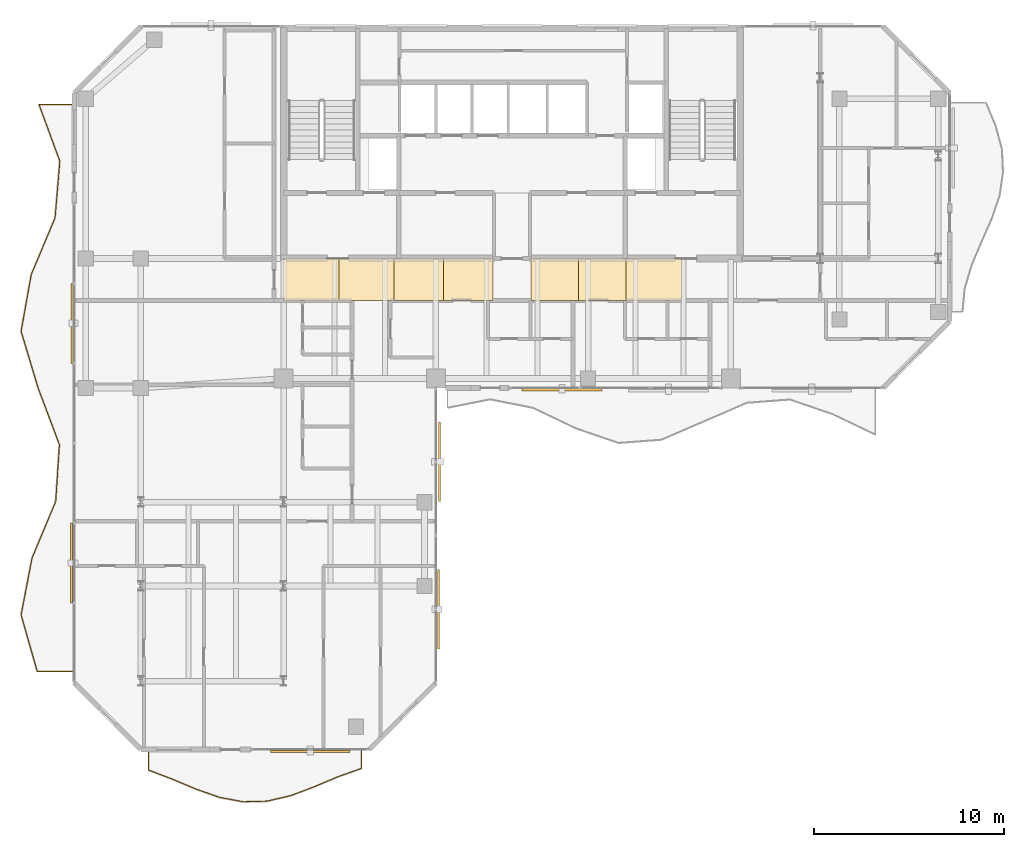
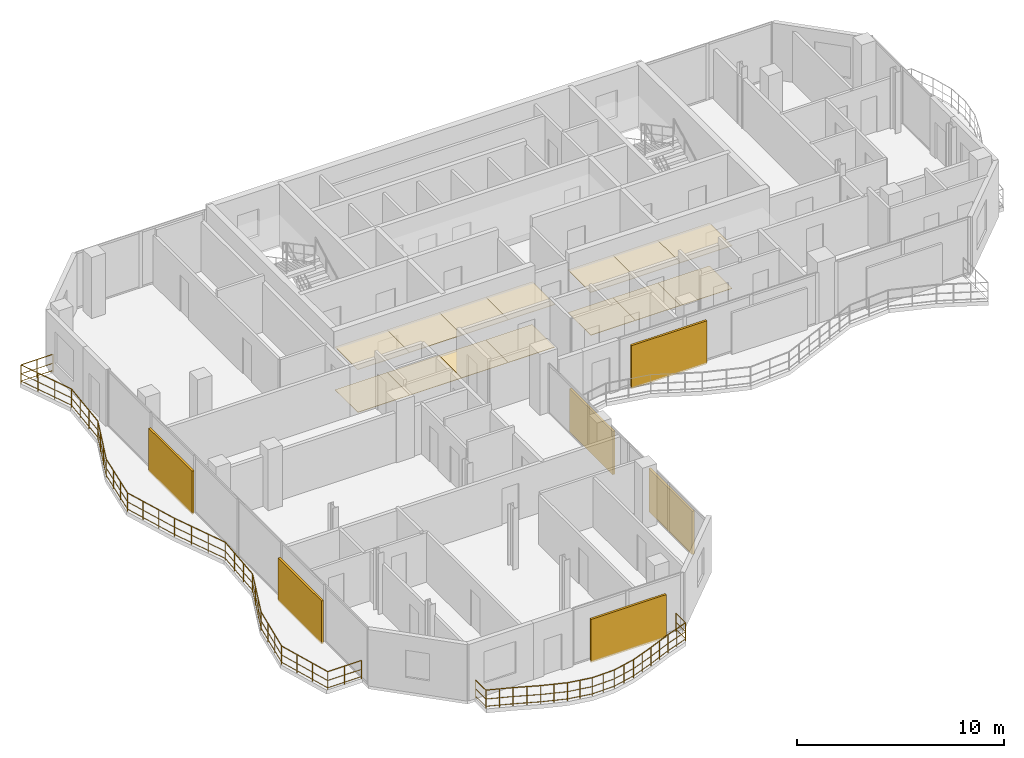
# One storey, part 21 of 23: 14 coverings, 6 shading devices, 2 railings.
"""IFC4 building model written with IfcOpenShell, lengths in metres."""

from ifc_helpers import new_model, si_unit, direction, frame, origin, origin_2d, place, context, subcontext, project, spatial, polyline, rectangle, circle, outline, extrude, material, layer, layer_set, type_object, element, save


model = new_model("IFC4")

# Units and contexts
model_context = context("Model", 3, precision=1e-05, world=origin(), true_north=direction((0.0, 1.0)))
body_context = subcontext(model_context, "Body", "Model", "MODEL_VIEW")
ifc_project = project(units=[si_unit("LENGTHUNIT", "METRE"), si_unit("AREAUNIT", "SQUARE_METRE"), si_unit("VOLUMEUNIT", "CUBIC_METRE"), si_unit("PLANEANGLEUNIT", "RADIAN"), si_unit("MASSUNIT", "GRAM", prefix="KILO")], contexts=[model_context])

# Site, building, storey
site_placement = place(None, origin())
site = spatial("IfcSite", under=ifc_project, at=site_placement, CompositionType="ELEMENT")
building_placement = place(site_placement, origin())
building = spatial("IfcBuilding", under=site, at=building_placement, Name="Catumbela Crestline Tower", CompositionType="ELEMENT")
storey_placement = place(building_placement, frame((0.0, 0.0, 175.8)))
storey = spatial("IfcBuildingStorey", under=building, at=storey_placement, Name="L45", CompositionType="ELEMENT", Elevation=175.8)

# Coverings
ifc_material_1 = material(Name="Mineral-fibre acoustic ceiling")
ifc_layer_1 = layer(ifc_material_1, 0.03, Name="Mineral-fibre acoustic ceiling")
ifc_layer_set_1 = layer_set([ifc_layer_1], Name="Mineral-fibre acoustic ceiling")
covering_type_1 = type_object("IfcCoveringType", Name="CC-AC", PredefinedType="CEILING", material=ifc_layer_set_1)
covering_1_placement = place(storey_placement, frame((0.0, 0.0, 2.52)))
element("IfcCovering", 1, at=covering_1_placement, inside=storey, type_object=covering_type_1, Name="L45 Corridor Acoustic Ceiling Bay 1", PredefinedType="CEILING", context=body_context, shape_type="SweptSolid", body=[
    extrude(outline(polyline([(16.0, 28.6), (18.9, 28.6), (18.9, 30.8), (16.0, 30.8), (16.0, 28.6)])), origin(), (0.0, 0.0, 1.0), 0.03),
])
covering_2_placement = place(storey_placement, frame((0.0, 0.0, 2.52)))
element("IfcCovering", 2, at=covering_2_placement, inside=storey, type_object=covering_type_1, Name="L45 Corridor Acoustic Ceiling Bay 2", PredefinedType="CEILING", context=body_context, shape_type="SweptSolid", body=[
    extrude(outline(polyline([(18.9, 28.6), (21.8, 28.6), (21.8, 30.8), (18.9, 30.8), (18.9, 28.6)])), origin(), (0.0, 0.0, 1.0), 0.03),
])
covering_3_placement = place(storey_placement, frame((0.0, 0.0, 2.52)))
element("IfcCovering", 3, at=covering_3_placement, inside=storey, type_object=covering_type_1, Name="L45 Corridor Acoustic Ceiling Bay 3", PredefinedType="CEILING", context=body_context, shape_type="SweptSolid", body=[
    extrude(outline(polyline([(21.8, 28.6), (24.4, 28.6), (24.4, 30.8), (21.8, 30.8), (21.8, 28.6)])), origin(), (0.0, 0.0, 1.0), 0.03),
])
covering_4_placement = place(storey_placement, frame((0.0, 0.0, 2.52)))
element("IfcCovering", 4, at=covering_4_placement, inside=storey, type_object=covering_type_1, Name="L45 Corridor Acoustic Ceiling Bay 4", PredefinedType="CEILING", context=body_context, shape_type="SweptSolid", body=[
    extrude(outline(polyline([(24.4, 28.6), (27.0, 28.6), (27.0, 30.8), (24.4, 30.8), (24.4, 28.6)])), origin(), (0.0, 0.0, 1.0), 0.03),
])
covering_5_placement = place(storey_placement, frame((0.0, 0.0, 2.52)))
element("IfcCovering", 5, at=covering_5_placement, inside=storey, type_object=covering_type_1, Name="L45 Corridor Acoustic Ceiling Bay 5", PredefinedType="CEILING", context=body_context, shape_type="SweptSolid", body=[
    extrude(outline(polyline([(29.0, 28.6), (31.5, 28.6), (31.5, 30.8), (29.0, 30.8), (29.0, 28.6)])), origin(), (0.0, 0.0, 1.0), 0.03),
])
covering_6_placement = place(storey_placement, frame((0.0, 0.0, 2.52)))
element("IfcCovering", 6, at=covering_6_placement, inside=storey, type_object=covering_type_1, Name="L45 Corridor Acoustic Ceiling Bay 6", PredefinedType="CEILING", context=body_context, shape_type="SweptSolid", body=[
    extrude(outline(polyline([(31.5, 28.6), (34.0, 28.6), (34.0, 30.8), (31.5, 30.8), (31.5, 28.6)])), origin(), (0.0, 0.0, 1.0), 0.03),
])
covering_7_placement = place(storey_placement, frame((0.0, 0.0, 2.52)))
element("IfcCovering", 7, at=covering_7_placement, inside=storey, type_object=covering_type_1, Name="L45 Corridor Acoustic Ceiling Bay 7", PredefinedType="CEILING", context=body_context, shape_type="SweptSolid", body=[
    extrude(outline(polyline([(34.0, 28.6), (36.9, 28.6), (36.9, 30.8), (34.0, 30.8), (34.0, 28.6)])), origin(), (0.0, 0.0, 1.0), 0.03),
])
ifc_material_2 = material(Name="Angolan grey-ochre granite", Category="masonry")
ifc_layer_2 = layer(ifc_material_2, 0.025, Name="Angolan grey-ochre granite")
ifc_layer_set_2 = layer_set([ifc_layer_2], Name="Angolan grey-ochre granite")
covering_type_2 = type_object("IfcCoveringType", Name="CF-GR", PredefinedType="FLOORING", material=ifc_layer_set_2)
covering_8_placement = place(storey_placement, origin())
element("IfcCovering", 8, at=covering_8_placement, inside=storey, type_object=covering_type_2, Name="L45 Corridor Granite Flooring Bay 1", PredefinedType="FLOORING", context=body_context, shape_type="SweptSolid", body=[
    extrude(outline(polyline([(16.0, 28.6), (18.9, 28.6), (18.9, 30.8), (16.0, 30.8), (16.0, 28.6)])), origin(), (0.0, 0.0, 1.0), 0.025),
])
covering_9_placement = place(storey_placement, origin())
element("IfcCovering", 9, at=covering_9_placement, inside=storey, type_object=covering_type_2, Name="L45 Corridor Granite Flooring Bay 2", PredefinedType="FLOORING", context=body_context, shape_type="SweptSolid", body=[
    extrude(outline(polyline([(18.9, 28.6), (21.8, 28.6), (21.8, 30.8), (18.9, 30.8), (18.9, 28.6)])), origin(), (0.0, 0.0, 1.0), 0.025),
])
covering_10_placement = place(storey_placement, origin())
element("IfcCovering", 10, at=covering_10_placement, inside=storey, type_object=covering_type_2, Name="L45 Corridor Granite Flooring Bay 3", PredefinedType="FLOORING", context=body_context, shape_type="SweptSolid", body=[
    extrude(outline(polyline([(21.8, 28.6), (24.4, 28.6), (24.4, 30.8), (21.8, 30.8), (21.8, 28.6)])), origin(), (0.0, 0.0, 1.0), 0.025),
])
covering_11_placement = place(storey_placement, origin())
element("IfcCovering", 11, at=covering_11_placement, inside=storey, type_object=covering_type_2, Name="L45 Corridor Granite Flooring Bay 4", PredefinedType="FLOORING", context=body_context, shape_type="SweptSolid", body=[
    extrude(outline(polyline([(24.4, 28.6), (27.0, 28.6), (27.0, 30.8), (24.4, 30.8), (24.4, 28.6)])), origin(), (0.0, 0.0, 1.0), 0.025),
])
covering_12_placement = place(storey_placement, origin())
element("IfcCovering", 12, at=covering_12_placement, inside=storey, type_object=covering_type_2, Name="L45 Corridor Granite Flooring Bay 5", PredefinedType="FLOORING", context=body_context, shape_type="SweptSolid", body=[
    extrude(outline(polyline([(29.0, 28.6), (31.5, 28.6), (31.5, 30.8), (29.0, 30.8), (29.0, 28.6)])), origin(), (0.0, 0.0, 1.0), 0.025),
])
covering_13_placement = place(storey_placement, origin())
element("IfcCovering", 13, at=covering_13_placement, inside=storey, type_object=covering_type_2, Name="L45 Corridor Granite Flooring Bay 6", PredefinedType="FLOORING", context=body_context, shape_type="SweptSolid", body=[
    extrude(outline(polyline([(31.5, 28.6), (34.0, 28.6), (34.0, 30.8), (31.5, 30.8), (31.5, 28.6)])), origin(), (0.0, 0.0, 1.0), 0.025),
])
covering_14_placement = place(storey_placement, origin())
element("IfcCovering", 14, at=covering_14_placement, inside=storey, type_object=covering_type_2, Name="L45 Corridor Granite Flooring Bay 7", PredefinedType="FLOORING", context=body_context, shape_type="SweptSolid", body=[
    extrude(outline(polyline([(34.0, 28.6), (36.9, 28.6), (36.9, 30.8), (34.0, 30.8), (34.0, 28.6)])), origin(), (0.0, 0.0, 1.0), 0.025),
])

# Railings
ifc_material_3 = material(Name="Stainless steel EN 1.4401", Category="steel")
railing_type = type_object("IfcRailingType", Name="RB-1100", PredefinedType="BALUSTRADE", material=ifc_material_3)
railing_1_placement = place(storey_placement, frame((8.9, 4.94, 0.0)))
element("IfcRailing", 15, at=railing_1_placement, inside=storey, type_object=railing_type, Name="L45 Private Wave Balcony Balustrade 3", PredefinedType="BALUSTRADE", context=body_context, shape_type="SweptSolid", body=[
    extrude(circle(Radius=0.024, at=origin_2d()), frame((0.0, 0.0, 1.076), z_axis=(0.0, -1.0, 0.0), x_axis=(1.0, 0.0, 0.0)), (0.0, 0.0, 1.0), 1.0126),
    extrude(circle(Radius=0.0156, at=origin_2d()), frame((0.0, 0.0, 0.55), z_axis=(0.0, -1.0, 0.0), x_axis=(1.0, 0.0, 0.0)), (0.0, 0.0, 1.0), 1.0126),
    extrude(circle(Radius=0.0156, at=origin_2d()), frame((0.0, 0.0, 0.12), z_axis=(0.0, -1.0, 0.0), x_axis=(1.0, 0.0, 0.0)), (0.0, 0.0, 1.0), 1.0126),
    extrude(circle(Radius=0.024, at=origin_2d()), frame((0.0, -1.0126, 1.076), z_axis=(0.934801539035, -0.355170497955, 0.0), x_axis=(0.355170497955, 0.934801539035, 0.0)), (0.0, 0.0, 1.0), 1.3312),
    extrude(circle(Radius=0.0156, at=origin_2d()), frame((0.0, -1.0126, 0.55), z_axis=(0.934801539035, -0.355170497955, 0.0), x_axis=(0.355170497955, 0.934801539035, 0.0)), (0.0, 0.0, 1.0), 1.3312),
    extrude(circle(Radius=0.0156, at=origin_2d()), frame((0.0, -1.0126, 0.12), z_axis=(0.934801539035, -0.355170497955, 0.0), x_axis=(0.355170497955, 0.934801539035, 0.0)), (0.0, 0.0, 1.0), 1.3312),
    extrude(circle(Radius=0.024, at=origin_2d()), frame((1.2444, -1.4854, 1.076), z_axis=(0.921529408365, -0.388308575128, 0.0), x_axis=(0.388308575128, 0.921529408365, 0.0)), (0.0, 0.0, 1.0), 1.3505),
    extrude(circle(Radius=0.0156, at=origin_2d()), frame((1.2444, -1.4854, 0.55), z_axis=(0.921529408365, -0.388308575128, 0.0), x_axis=(0.388308575128, 0.921529408365, 0.0)), (0.0, 0.0, 1.0), 1.3505),
    extrude(circle(Radius=0.0156, at=origin_2d()), frame((1.2444, -1.4854, 0.12), z_axis=(0.921529408365, -0.388308575128, 0.0), x_axis=(0.388308575128, 0.921529408365, 0.0)), (0.0, 0.0, 1.0), 1.3505),
    extrude(circle(Radius=0.024, at=origin_2d()), frame((2.4889, -2.0098, 1.076), z_axis=(0.943536380972, -0.331268920642, 0.0), x_axis=(0.331268920642, 0.943536380972, 0.0)), (0.0, 0.0, 1.0), 1.3189),
    extrude(circle(Radius=0.0156, at=origin_2d()), frame((2.4889, -2.0098, 0.55), z_axis=(0.943536380972, -0.331268920642, 0.0), x_axis=(0.331268920642, 0.943536380972, 0.0)), (0.0, 0.0, 1.0), 1.3189),
    extrude(circle(Radius=0.0156, at=origin_2d()), frame((2.4889, -2.0098, 0.12), z_axis=(0.943536380972, -0.331268920642, 0.0), x_axis=(0.331268920642, 0.943536380972, 0.0)), (0.0, 0.0, 1.0), 1.3189),
    extrude(circle(Radius=0.024, at=origin_2d()), frame((3.7333, -2.4467, 1.076), z_axis=(0.982892745139, -0.184178857506, 0.0), x_axis=(0.184178857506, 0.982892745139, 0.0)), (0.0, 0.0, 1.0), 1.2662),
    extrude(circle(Radius=0.0156, at=origin_2d()), frame((3.7333, -2.4467, 0.55), z_axis=(0.982892745139, -0.184178857506, 0.0), x_axis=(0.184178857506, 0.982892745139, 0.0)), (0.0, 0.0, 1.0), 1.2662),
    extrude(circle(Radius=0.0156, at=origin_2d()), frame((3.7333, -2.4467, 0.12), z_axis=(0.982892745139, -0.184178857506, 0.0), x_axis=(0.184178857506, 0.982892745139, 0.0)), (0.0, 0.0, 1.0), 1.2662),
    extrude(circle(Radius=0.024, at=origin_2d()), frame((4.9778, -2.6799, 1.076), z_axis=(0.999661218817, 0.026027823441, 0.0), x_axis=(-0.026027823441, 0.999661218817, 0.0)), (0.0, 0.0, 1.0), 1.2448),
    extrude(circle(Radius=0.0156, at=origin_2d()), frame((4.9778, -2.6799, 0.55), z_axis=(0.999661218817, 0.026027823441, 0.0), x_axis=(-0.026027823441, 0.999661218817, 0.0)), (0.0, 0.0, 1.0), 1.2448),
    extrude(circle(Radius=0.0156, at=origin_2d()), frame((4.9778, -2.6799, 0.12), z_axis=(0.999661218817, 0.026027823441, 0.0), x_axis=(-0.026027823441, 0.999661218817, 0.0)), (0.0, 0.0, 1.0), 1.2448),
    extrude(circle(Radius=0.024, at=origin_2d()), frame((6.2222, -2.6475, 1.076), z_axis=(0.974011239471, 0.226499680758, 0.0), x_axis=(-0.226499680758, 0.974011239471, 0.0)), (0.0, 0.0, 1.0), 1.2777),
    extrude(circle(Radius=0.0156, at=origin_2d()), frame((6.2222, -2.6475, 0.55), z_axis=(0.974011239471, 0.226499680758, 0.0), x_axis=(-0.226499680758, 0.974011239471, 0.0)), (0.0, 0.0, 1.0), 1.2777),
    extrude(circle(Radius=0.0156, at=origin_2d()), frame((6.2222, -2.6475, 0.12), z_axis=(0.974011239471, 0.226499680758, 0.0), x_axis=(-0.226499680758, 0.974011239471, 0.0)), (0.0, 0.0, 1.0), 1.2777),
    extrude(circle(Radius=0.024, at=origin_2d()), frame((7.4667, -2.3581, 1.076), z_axis=(0.935622804223, 0.35300137141, 0.0), x_axis=(-0.35300137141, 0.935622804223, 0.0)), (0.0, 0.0, 1.0), 1.33),
    extrude(circle(Radius=0.0156, at=origin_2d()), frame((7.4667, -2.3581, 0.55), z_axis=(0.935622804223, 0.35300137141, 0.0), x_axis=(-0.35300137141, 0.935622804223, 0.0)), (0.0, 0.0, 1.0), 1.33),
    extrude(circle(Radius=0.0156, at=origin_2d()), frame((7.4667, -2.3581, 0.12), z_axis=(0.935622804223, 0.35300137141, 0.0), x_axis=(-0.35300137141, 0.935622804223, 0.0)), (0.0, 0.0, 1.0), 1.33),
    extrude(circle(Radius=0.024, at=origin_2d()), frame((8.7111, -1.8886, 1.076), z_axis=(0.921396887645, 0.388622921916, 0.0), x_axis=(-0.388622921916, 0.921396887645, 0.0)), (0.0, 0.0, 1.0), 1.3507),
    extrude(circle(Radius=0.0156, at=origin_2d()), frame((8.7111, -1.8886, 0.55), z_axis=(0.921396887645, 0.388622921916, 0.0), x_axis=(-0.388622921916, 0.921396887645, 0.0)), (0.0, 0.0, 1.0), 1.3507),
    extrude(circle(Radius=0.0156, at=origin_2d()), frame((8.7111, -1.8886, 0.12), z_axis=(0.921396887645, 0.388622921916, 0.0), x_axis=(-0.388622921916, 0.921396887645, 0.0)), (0.0, 0.0, 1.0), 1.3507),
    extrude(circle(Radius=0.024, at=origin_2d()), frame((9.9556, -1.3637, 1.076), z_axis=(0.94258550336, 0.333964921594, 0.0), x_axis=(-0.333964921594, 0.94258550336, 0.0)), (0.0, 0.0, 1.0), 1.3202),
    extrude(circle(Radius=0.0156, at=origin_2d()), frame((9.9556, -1.3637, 0.55), z_axis=(0.94258550336, 0.333964921594, 0.0), x_axis=(-0.333964921594, 0.94258550336, 0.0)), (0.0, 0.0, 1.0), 1.3202),
    extrude(circle(Radius=0.0156, at=origin_2d()), frame((9.9556, -1.3637, 0.12), z_axis=(0.94258550336, 0.333964921594, 0.0), x_axis=(-0.333964921594, 0.94258550336, 0.0)), (0.0, 0.0, 1.0), 1.3202),
    extrude(circle(Radius=0.024, at=origin_2d()), frame((11.2, -0.9228, 1.076), z_axis=(0.0, 1.0, 0.0), x_axis=(-1.0, 0.0, 0.0)), (0.0, 0.0, 1.0), 0.9228),
    extrude(circle(Radius=0.0156, at=origin_2d()), frame((11.2, -0.9228, 0.55), z_axis=(0.0, 1.0, 0.0), x_axis=(-1.0, 0.0, 0.0)), (0.0, 0.0, 1.0), 0.9228),
    extrude(circle(Radius=0.0156, at=origin_2d()), frame((11.2, -0.9228, 0.12), z_axis=(0.0, 1.0, 0.0), x_axis=(-1.0, 0.0, 0.0)), (0.0, 0.0, 1.0), 0.9228),
    extrude(circle(Radius=0.021, at=origin_2d()), origin(), (0.0, 0.0, 1.0), 1.052),
    extrude(circle(Radius=0.021, at=origin_2d()), frame((0.0, -1.0126, 0.0)), (0.0, 0.0, 1.0), 1.052),
    extrude(circle(Radius=0.021, at=origin_2d()), frame((0.6222, -1.249, 0.0)), (0.0, 0.0, 1.0), 1.052),
    extrude(circle(Radius=0.021, at=origin_2d()), frame((1.2444, -1.4854, 0.0)), (0.0, 0.0, 1.0), 1.052),
    extrude(circle(Radius=0.021, at=origin_2d()), frame((1.8666, -1.7476, 0.0)), (0.0, 0.0, 1.0), 1.052),
    extrude(circle(Radius=0.021, at=origin_2d()), frame((2.4889, -2.0098, 0.0)), (0.0, 0.0, 1.0), 1.052),
    extrude(circle(Radius=0.021, at=origin_2d()), frame((3.1111, -2.2282, 0.0)), (0.0, 0.0, 1.0), 1.052),
    extrude(circle(Radius=0.021, at=origin_2d()), frame((3.7333, -2.4467, 0.0)), (0.0, 0.0, 1.0), 1.052),
    extrude(circle(Radius=0.021, at=origin_2d()), frame((4.3556, -2.5633, 0.0)), (0.0, 0.0, 1.0), 1.052),
    extrude(circle(Radius=0.021, at=origin_2d()), frame((4.9778, -2.6799, 0.0)), (0.0, 0.0, 1.0), 1.052),
    extrude(circle(Radius=0.021, at=origin_2d()), frame((5.6, -2.6637, 0.0)), (0.0, 0.0, 1.0), 1.052),
    extrude(circle(Radius=0.021, at=origin_2d()), frame((6.2222, -2.6475, 0.0)), (0.0, 0.0, 1.0), 1.052),
    extrude(circle(Radius=0.021, at=origin_2d()), frame((6.8444, -2.5028, 0.0)), (0.0, 0.0, 1.0), 1.052),
    extrude(circle(Radius=0.021, at=origin_2d()), frame((7.4667, -2.3581, 0.0)), (0.0, 0.0, 1.0), 1.052),
    extrude(circle(Radius=0.021, at=origin_2d()), frame((8.0889, -2.1234, 0.0)), (0.0, 0.0, 1.0), 1.052),
    extrude(circle(Radius=0.021, at=origin_2d()), frame((8.7111, -1.8886, 0.0)), (0.0, 0.0, 1.0), 1.052),
    extrude(circle(Radius=0.021, at=origin_2d()), frame((9.3334, -1.6262, 0.0)), (0.0, 0.0, 1.0), 1.052),
    extrude(circle(Radius=0.021, at=origin_2d()), frame((9.9556, -1.3637, 0.0)), (0.0, 0.0, 1.0), 1.052),
    extrude(circle(Radius=0.021, at=origin_2d()), frame((10.5778, -1.1433, 0.0)), (0.0, 0.0, 1.0), 1.052),
    extrude(circle(Radius=0.021, at=origin_2d()), frame((11.2, -0.9228, 0.0)), (0.0, 0.0, 1.0), 1.052),
    extrude(circle(Radius=0.021, at=origin_2d()), frame((11.2, 0.0, 0.0)), (0.0, 0.0, 1.0), 1.052),
])
railing_2_placement = place(storey_placement, frame((4.94, 38.9, 0.0)))
element("IfcRailing", 16, at=railing_2_placement, inside=storey, type_object=railing_type, Name="L45 Private Wave Balcony Balustrade 4", PredefinedType="BALUSTRADE", context=body_context, shape_type="SweptSolid", body=[
    extrude(circle(Radius=0.024, at=origin_2d()), frame((0.0, 0.0, 1.076), z_axis=(-1.0, 0.0, 0.0), x_axis=(0.0, -1.0, 0.0)), (0.0, 0.0, 1.0), 1.791),
    extrude(circle(Radius=0.0156, at=origin_2d()), frame((0.0, 0.0, 0.55), z_axis=(-1.0, 0.0, 0.0), x_axis=(0.0, -1.0, 0.0)), (0.0, 0.0, 1.0), 1.791),
    extrude(circle(Radius=0.0156, at=origin_2d()), frame((0.0, 0.0, 0.12), z_axis=(-1.0, 0.0, 0.0), x_axis=(0.0, -1.0, 0.0)), (0.0, 0.0, 1.0), 1.791),
    extrude(circle(Radius=0.024, at=origin_2d()), frame((-1.791, 0.0, 1.076), z_axis=(0.344819161889, -0.938669135316, 0.0), x_axis=(0.938669135316, 0.344819161889, 0.0)), (0.0, 0.0, 1.0), 3.1747),
    extrude(circle(Radius=0.0156, at=origin_2d()), frame((-1.791, 0.0, 0.55), z_axis=(0.344819161889, -0.938669135316, 0.0), x_axis=(0.938669135316, 0.344819161889, 0.0)), (0.0, 0.0, 1.0), 3.1747),
    extrude(circle(Radius=0.0156, at=origin_2d()), frame((-1.791, 0.0, 0.12), z_axis=(0.344819161889, -0.938669135316, 0.0), x_axis=(0.938669135316, 0.344819161889, 0.0)), (0.0, 0.0, 1.0), 3.1747),
    extrude(circle(Radius=0.024, at=origin_2d()), frame((-0.6963, -2.98, 1.076), z_axis=(-0.083300085581, -0.99652450835, 0.0), x_axis=(0.99652450835, -0.083300085581, 0.0)), (0.0, 0.0, 1.0), 2.9904),
    extrude(circle(Radius=0.0156, at=origin_2d()), frame((-0.6963, -2.98, 0.55), z_axis=(-0.083300085581, -0.99652450835, 0.0), x_axis=(0.99652450835, -0.083300085581, 0.0)), (0.0, 0.0, 1.0), 2.9904),
    extrude(circle(Radius=0.0156, at=origin_2d()), frame((-0.6963, -2.98, 0.12), z_axis=(-0.083300085581, -0.99652450835, 0.0), x_axis=(0.99652450835, -0.083300085581, 0.0)), (0.0, 0.0, 1.0), 2.9904),
    extrude(circle(Radius=0.024, at=origin_2d()), frame((-0.9454, -5.96, 1.076), z_axis=(-0.387495434342, -0.921871622496, 0.0), x_axis=(0.921871622496, -0.387495434342, 0.0)), (0.0, 0.0, 1.0), 3.2326),
    extrude(circle(Radius=0.0156, at=origin_2d()), frame((-0.9454, -5.96, 0.55), z_axis=(-0.387495434342, -0.921871622496, 0.0), x_axis=(0.921871622496, -0.387495434342, 0.0)), (0.0, 0.0, 1.0), 3.2326),
    extrude(circle(Radius=0.0156, at=origin_2d()), frame((-0.9454, -5.96, 0.12), z_axis=(-0.387495434342, -0.921871622496, 0.0), x_axis=(0.921871622496, -0.387495434342, 0.0)), (0.0, 0.0, 1.0), 3.2326),
    extrude(circle(Radius=0.024, at=origin_2d()), frame((-2.198, -8.94, 1.076), z_axis=(-0.175744904144, -0.984435741259, 0.0), x_axis=(0.984435741259, -0.175744904144, 0.0)), (0.0, 0.0, 1.0), 3.0271),
    extrude(circle(Radius=0.0156, at=origin_2d()), frame((-2.198, -8.94, 0.55), z_axis=(-0.175744904144, -0.984435741259, 0.0), x_axis=(0.984435741259, -0.175744904144, 0.0)), (0.0, 0.0, 1.0), 3.0271),
    extrude(circle(Radius=0.0156, at=origin_2d()), frame((-2.198, -8.94, 0.12), z_axis=(-0.175744904144, -0.984435741259, 0.0), x_axis=(0.984435741259, -0.175744904144, 0.0)), (0.0, 0.0, 1.0), 3.0271),
    extrude(circle(Radius=0.024, at=origin_2d()), frame((-2.73, -11.92, 1.076), z_axis=(0.287377373068, -0.957817438476, 0.0), x_axis=(0.957817438476, 0.287377373068, 0.0)), (0.0, 0.0, 1.0), 3.1112),
    extrude(circle(Radius=0.0156, at=origin_2d()), frame((-2.73, -11.92, 0.55), z_axis=(0.287377373068, -0.957817438476, 0.0), x_axis=(0.957817438476, 0.287377373068, 0.0)), (0.0, 0.0, 1.0), 3.1112),
    extrude(circle(Radius=0.0156, at=origin_2d()), frame((-2.73, -11.92, 0.12), z_axis=(0.287377373068, -0.957817438476, 0.0), x_axis=(0.957817438476, 0.287377373068, 0.0)), (0.0, 0.0, 1.0), 3.1112),
    extrude(circle(Radius=0.024, at=origin_2d()), frame((-1.8359, -14.9, 1.076), z_axis=(0.35183934725, -0.936060400683, 0.0), x_axis=(0.936060400683, 0.35183934725, 0.0)), (0.0, 0.0, 1.0), 3.1836),
    extrude(circle(Radius=0.0156, at=origin_2d()), frame((-1.8359, -14.9, 0.55), z_axis=(0.35183934725, -0.936060400683, 0.0), x_axis=(0.936060400683, 0.35183934725, 0.0)), (0.0, 0.0, 1.0), 3.1836),
    extrude(circle(Radius=0.0156, at=origin_2d()), frame((-1.8359, -14.9, 0.12), z_axis=(0.35183934725, -0.936060400683, 0.0), x_axis=(0.936060400683, 0.35183934725, 0.0)), (0.0, 0.0, 1.0), 3.1836),
    extrude(circle(Radius=0.024, at=origin_2d()), frame((-0.7158, -17.88, 1.076), z_axis=(-0.065996741667, -0.997819838493, 0.0), x_axis=(0.997819838493, -0.065996741667, 0.0)), (0.0, 0.0, 1.0), 2.9865),
    extrude(circle(Radius=0.0156, at=origin_2d()), frame((-0.7158, -17.88, 0.55), z_axis=(-0.065996741667, -0.997819838493, 0.0), x_axis=(0.997819838493, -0.065996741667, 0.0)), (0.0, 0.0, 1.0), 2.9865),
    extrude(circle(Radius=0.0156, at=origin_2d()), frame((-0.7158, -17.88, 0.12), z_axis=(-0.065996741667, -0.997819838493, 0.0), x_axis=(0.997819838493, -0.065996741667, 0.0)), (0.0, 0.0, 1.0), 2.9865),
    extrude(circle(Radius=0.024, at=origin_2d()), frame((-0.9129, -20.86, 1.076), z_axis=(-0.385494644626, -0.922710073081, 0.0), x_axis=(0.922710073081, -0.385494644626, 0.0)), (0.0, 0.0, 1.0), 3.2296),
    extrude(circle(Radius=0.0156, at=origin_2d()), frame((-0.9129, -20.86, 0.55), z_axis=(-0.385494644626, -0.922710073081, 0.0), x_axis=(0.922710073081, -0.385494644626, 0.0)), (0.0, 0.0, 1.0), 3.2296),
    extrude(circle(Radius=0.0156, at=origin_2d()), frame((-0.9129, -20.86, 0.12), z_axis=(-0.385494644626, -0.922710073081, 0.0), x_axis=(0.922710073081, -0.385494644626, 0.0)), (0.0, 0.0, 1.0), 3.2296),
    extrude(circle(Radius=0.024, at=origin_2d()), frame((-2.1579, -23.84, 1.076), z_axis=(-0.1885369186, -0.982066102829, 0.0), x_axis=(0.982066102829, -0.1885369186, 0.0)), (0.0, 0.0, 1.0), 3.0344),
    extrude(circle(Radius=0.0156, at=origin_2d()), frame((-2.1579, -23.84, 0.55), z_axis=(-0.1885369186, -0.982066102829, 0.0), x_axis=(0.982066102829, -0.1885369186, 0.0)), (0.0, 0.0, 1.0), 3.0344),
    extrude(circle(Radius=0.0156, at=origin_2d()), frame((-2.1579, -23.84, 0.12), z_axis=(-0.1885369186, -0.982066102829, 0.0), x_axis=(0.982066102829, -0.1885369186, 0.0)), (0.0, 0.0, 1.0), 3.0344),
    extrude(circle(Radius=0.024, at=origin_2d()), frame((-2.73, -26.82, 1.076), z_axis=(0.274145673282, -0.961688177021, 0.0), x_axis=(0.961688177021, 0.274145673282, 0.0)), (0.0, 0.0, 1.0), 3.0987),
    extrude(circle(Radius=0.0156, at=origin_2d()), frame((-2.73, -26.82, 0.55), z_axis=(0.274145673282, -0.961688177021, 0.0), x_axis=(0.961688177021, 0.274145673282, 0.0)), (0.0, 0.0, 1.0), 3.0987),
    extrude(circle(Radius=0.0156, at=origin_2d()), frame((-2.73, -26.82, 0.12), z_axis=(0.274145673282, -0.961688177021, 0.0), x_axis=(0.961688177021, 0.274145673282, 0.0)), (0.0, 0.0, 1.0), 3.0987),
    extrude(circle(Radius=0.024, at=origin_2d()), frame((-1.8805, -29.8, 1.076), z_axis=(1.0, 0.0, 0.0), x_axis=(0.0, 1.0, 0.0)), (0.0, 0.0, 1.0), 1.8805),
    extrude(circle(Radius=0.0156, at=origin_2d()), frame((-1.8805, -29.8, 0.55), z_axis=(1.0, 0.0, 0.0), x_axis=(0.0, 1.0, 0.0)), (0.0, 0.0, 1.0), 1.8805),
    extrude(circle(Radius=0.0156, at=origin_2d()), frame((-1.8805, -29.8, 0.12), z_axis=(1.0, 0.0, 0.0), x_axis=(0.0, 1.0, 0.0)), (0.0, 0.0, 1.0), 1.8805),
    extrude(circle(Radius=0.021, at=origin_2d()), origin(), (0.0, 0.0, 1.0), 1.052),
    extrude(circle(Radius=0.021, at=origin_2d()), frame((-0.8955, 0.0, 0.0)), (0.0, 0.0, 1.0), 1.052),
    extrude(circle(Radius=0.021, at=origin_2d()), frame((-1.791, 0.0, 0.0)), (0.0, 0.0, 1.0), 1.052),
    extrude(circle(Radius=0.021, at=origin_2d()), frame((-1.4261, -0.9933, 0.0)), (0.0, 0.0, 1.0), 1.052),
    extrude(circle(Radius=0.021, at=origin_2d()), frame((-1.0612, -1.9867, 0.0)), (0.0, 0.0, 1.0), 1.052),
    extrude(circle(Radius=0.021, at=origin_2d()), frame((-0.6963, -2.98, 0.0)), (0.0, 0.0, 1.0), 1.052),
    extrude(circle(Radius=0.021, at=origin_2d()), frame((-0.7793, -3.9733, 0.0)), (0.0, 0.0, 1.0), 1.052),
    extrude(circle(Radius=0.021, at=origin_2d()), frame((-0.8624, -4.9667, 0.0)), (0.0, 0.0, 1.0), 1.052),
    extrude(circle(Radius=0.021, at=origin_2d()), frame((-0.9454, -5.96, 0.0)), (0.0, 0.0, 1.0), 1.052),
    extrude(circle(Radius=0.021, at=origin_2d()), frame((-1.3629, -6.9533, 0.0)), (0.0, 0.0, 1.0), 1.052),
    extrude(circle(Radius=0.021, at=origin_2d()), frame((-1.7805, -7.9467, 0.0)), (0.0, 0.0, 1.0), 1.052),
    extrude(circle(Radius=0.021, at=origin_2d()), frame((-2.198, -8.94, 0.0)), (0.0, 0.0, 1.0), 1.052),
    extrude(circle(Radius=0.021, at=origin_2d()), frame((-2.3753, -9.9333, 0.0)), (0.0, 0.0, 1.0), 1.052),
    extrude(circle(Radius=0.021, at=origin_2d()), frame((-2.5527, -10.9267, 0.0)), (0.0, 0.0, 1.0), 1.052),
    extrude(circle(Radius=0.021, at=origin_2d()), frame((-2.73, -11.92, 0.0)), (0.0, 0.0, 1.0), 1.052),
    extrude(circle(Radius=0.021, at=origin_2d()), frame((-2.432, -12.9133, 0.0)), (0.0, 0.0, 1.0), 1.052),
    extrude(circle(Radius=0.021, at=origin_2d()), frame((-2.1339, -13.9067, 0.0)), (0.0, 0.0, 1.0), 1.052),
    extrude(circle(Radius=0.021, at=origin_2d()), frame((-1.8359, -14.9, 0.0)), (0.0, 0.0, 1.0), 1.052),
    extrude(circle(Radius=0.021, at=origin_2d()), frame((-1.4625, -15.8933, 0.0)), (0.0, 0.0, 1.0), 1.052),
    extrude(circle(Radius=0.021, at=origin_2d()), frame((-1.0892, -16.8867, 0.0)), (0.0, 0.0, 1.0), 1.052),
    extrude(circle(Radius=0.021, at=origin_2d()), frame((-0.7158, -17.88, 0.0)), (0.0, 0.0, 1.0), 1.052),
    extrude(circle(Radius=0.021, at=origin_2d()), frame((-0.7815, -18.8733, 0.0)), (0.0, 0.0, 1.0), 1.052),
    extrude(circle(Radius=0.021, at=origin_2d()), frame((-0.8472, -19.8667, 0.0)), (0.0, 0.0, 1.0), 1.052),
    extrude(circle(Radius=0.021, at=origin_2d()), frame((-0.9129, -20.86, 0.0)), (0.0, 0.0, 1.0), 1.052),
    extrude(circle(Radius=0.021, at=origin_2d()), frame((-1.3279, -21.8533, 0.0)), (0.0, 0.0, 1.0), 1.052),
    extrude(circle(Radius=0.021, at=origin_2d()), frame((-1.7429, -22.8467, 0.0)), (0.0, 0.0, 1.0), 1.052),
    extrude(circle(Radius=0.021, at=origin_2d()), frame((-2.1579, -23.84, 0.0)), (0.0, 0.0, 1.0), 1.052),
    extrude(circle(Radius=0.021, at=origin_2d()), frame((-2.3486, -24.8333, 0.0)), (0.0, 0.0, 1.0), 1.052),
    extrude(circle(Radius=0.021, at=origin_2d()), frame((-2.5393, -25.8267, 0.0)), (0.0, 0.0, 1.0), 1.052),
    extrude(circle(Radius=0.021, at=origin_2d()), frame((-2.73, -26.82, 0.0)), (0.0, 0.0, 1.0), 1.052),
    extrude(circle(Radius=0.021, at=origin_2d()), frame((-2.4468, -27.8133, 0.0)), (0.0, 0.0, 1.0), 1.052),
    extrude(circle(Radius=0.021, at=origin_2d()), frame((-2.1637, -28.8067, 0.0)), (0.0, 0.0, 1.0), 1.052),
    extrude(circle(Radius=0.021, at=origin_2d()), frame((-1.8805, -29.8, 0.0)), (0.0, 0.0, 1.0), 1.052),
    extrude(circle(Radius=0.021, at=origin_2d()), frame((-0.9403, -29.8, 0.0)), (0.0, 0.0, 1.0), 1.052),
    extrude(circle(Radius=0.021, at=origin_2d()), frame((0.0, -29.8, 0.0)), (0.0, 0.0, 1.0), 1.052),
])

# Shading devices
ifc_material_4 = material(Name="Extruded terracotta ceramic", Category="masonry")
shading_device_type_1 = type_object("IfcShadingDeviceType", Name="ST-180", PredefinedType="USERDEFINED", material=ifc_material_4)
for number, where, z_axis, x_axis, name in (
    (17, (17.4, 4.901, -0.1), (0.0, 0.0, 1.0), (1.0, 0.0, 0.0), "L45 Perforated Terracotta Solar Screen 512 (180 mm)"),
    (18, (30.6375, 23.901, -0.1), (0.0, 0.0, 1.0), (1.0, 0.0, 0.0), "L45 Perforated Terracotta Solar Screen 515 (180 mm)"),
    (19, (4.901, 27.4, -0.1), (0.0, 0.0, 1.0), (0.0, -1.0, 0.0), "L45 Perforated Terracotta Solar Screen 521 (180 mm)"),
):
    element("IfcShadingDevice", number, at=place(storey_placement, frame(where, z_axis=z_axis, x_axis=x_axis)), inside=storey, type_object=shading_device_type_1, Name=name, ObjectType="SCREEN", PredefinedType="USERDEFINED", context=body_context, shape_type="SweptSolid", body=[
        extrude(rectangle(XDim=4.2, YDim=0.12, at=origin_2d()), origin(), (0.0, 0.0, 1.0), 2.55),
    ])
shading_device_type_2 = type_object("IfcShadingDeviceType", Name="ST-260", PredefinedType="USERDEFINED", material=ifc_material_4)
for number, where, z_axis, x_axis, name in (
    (20, (24.143, 12.375, -0.1), (0.0, 0.0, 1.0), (0.0, 1.0, 0.0), "L45 Perforated Terracotta Solar Screen 513 (260 mm)"),
    (21, (4.857, 14.8, -0.1), (0.0, 0.0, 1.0), (0.0, -1.0, 0.0), "L45 Perforated Terracotta Solar Screen 522 (260 mm)"),
):
    element("IfcShadingDevice", number, at=place(storey_placement, frame(where, z_axis=z_axis, x_axis=x_axis)), inside=storey, type_object=shading_device_type_2, Name=name, ObjectType="SCREEN", PredefinedType="USERDEFINED", context=body_context, shape_type="SweptSolid", body=[
        extrude(rectangle(XDim=4.2, YDim=0.12, at=origin_2d()), origin(), (0.0, 0.0, 1.0), 2.55),
    ])
shading_device_type_3 = type_object("IfcShadingDeviceType", Name="ST-340", PredefinedType="USERDEFINED", material=ifc_material_4)
shading_device_placement = place(storey_placement, frame((24.187, 20.125, -0.1), z_axis=(0.0, 0.0, 1.0), x_axis=(0.0, 1.0, 0.0)))
element("IfcShadingDevice", 22, at=shading_device_placement, inside=storey, type_object=shading_device_type_3, Name="L45 Perforated Terracotta Solar Screen 514 (340 mm)", ObjectType="SCREEN", PredefinedType="USERDEFINED", context=body_context, shape_type="SweptSolid", body=[
    extrude(rectangle(XDim=4.2, YDim=0.12, at=origin_2d()), origin(), (0.0, 0.0, 1.0), 2.55),
])

save(model, "model.ifc")
